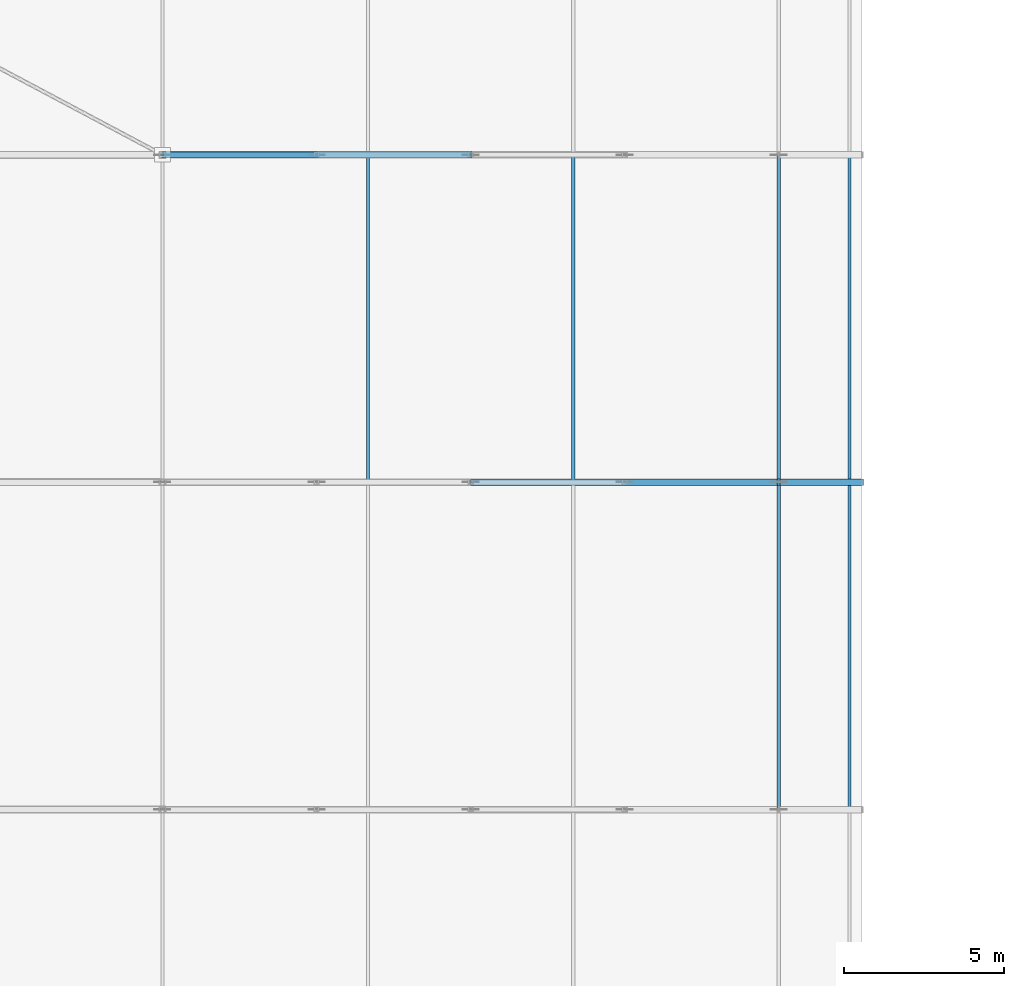
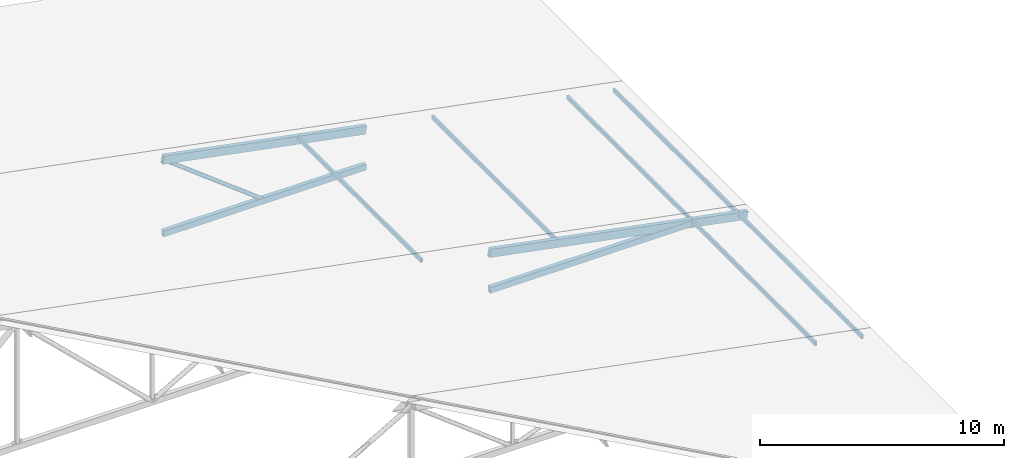
# One storey, part 76 of 200: 12 members.
"""IFC4 building model written with IfcOpenShell, lengths in metres."""

from ifc_helpers import new_model, si_unit, direction, frame, origin, origin_2d, place, context, subcontext, project, spatial, hollow_rectangle, hollow_circle, extrude, material, material_profile, profile_set, type_object, element, save


model = new_model("IFC4")

# Units and contexts
model_context = context("Model", 3, precision=1e-05, world=origin(), true_north=direction((0.0, 1.0)))
body_context = subcontext(model_context, "Body", "Model", "MODEL_VIEW")
ifc_project = project(units=[si_unit("LENGTHUNIT", "METRE"), si_unit("AREAUNIT", "SQUARE_METRE"), si_unit("VOLUMEUNIT", "CUBIC_METRE"), si_unit("PLANEANGLEUNIT", "RADIAN"), si_unit("MASSUNIT", "GRAM", prefix="KILO")], contexts=[model_context])

# Site, building, storey
site_placement = place(None, origin())
site = spatial("IfcSite", under=ifc_project, at=site_placement, CompositionType="ELEMENT")
building_placement = place(site_placement, origin())
building = spatial("IfcBuilding", under=site, at=building_placement, Name="Vondelvale Polytechnic", CompositionType="ELEMENT")
storey_placement = place(building_placement, frame((0.0, 0.0, 13.800048828125)))
storey = spatial("IfcBuildingStorey", under=building, at=storey_placement, Name="L03", CompositionType="ELEMENT", Elevation=13.800048828125)

# Members
ifc_material = material(Name="Steel C350L0 (fy = 350 MPa)", Category="steel")
ifc_material_profile_1 = material_profile(ifc_material, hollow_rectangle(XDim=0.10009765625, YDim=0.199951171875, WallThickness=0.006103515625, at=origin_2d()), Name="200x100x6.0RHS")
ifc_profile_set_1 = profile_set([ifc_material_profile_1], Name="Steel C350L0 (fy = 350 MPa)")
member_type_1 = type_object("IfcMemberType", Name="PURLIN RHS200", PredefinedType="PURLIN", material=ifc_profile_set_1)
for number, where, z_axis, x_axis, name in (
    (1, (48.0, 91.800048828125, -0.31884765625), (0.0, 1.0, 0.0), (-1.0, 0.0, 0.0), "Workshop roof purlin bay 5"),
    (2, (50.199951171875, 91.800048828125, -0.74267578125), (0.0, 1.0, 0.0), (-1.0, 0.0, 0.0), "Workshop roof purlin bay 5"),
    (3, (35.199951171875, 102.0, 2.14794921875), (0.0, 1.0, 0.0), (-1.0, 0.0, 0.0), "Workshop roof purlin bay 6"),
    (4, (41.60009765625, 102.0, 0.91455078125), (0.0, 1.0, 0.0), (-1.0, 0.0, 0.0), "Workshop roof purlin bay 6"),
    (5, (48.0, 102.0, -0.31884765625), (0.0, 1.0, 0.0), (-1.0, 0.0, 0.0), "Workshop roof purlin bay 6"),
    (6, (50.199951171875, 102.0, -0.74267578125), (0.0, 1.0, 0.0), (-1.0, 0.0, 0.0), "Workshop roof purlin bay 6"),
):
    element("IfcMember", number, at=place(storey_placement, frame(where, z_axis=z_axis, x_axis=x_axis)), inside=storey, type_object=member_type_1, Name=name, PredefinedType="PURLIN", context=body_context, shape_type="SweptSolid", body=[
        extrude(hollow_rectangle(XDim=0.10009765625, YDim=0.199951171875, WallThickness=0.006103515625, at=origin_2d()), origin(), (0.0, 0.0, 1.0), 10.199951171875),
    ])
ifc_material_profile_2 = material_profile(ifc_material, hollow_rectangle(XDim=0.199951171875, YDim=0.300048828125, WallThickness=0.008056640625, at=origin_2d()), Name="300x200x8.0RHS")
ifc_profile_set_2 = profile_set([ifc_material_profile_2], Name="Steel C350L0 (fy = 350 MPa)")
member_type_2 = type_object("IfcMemberType", Name="ROOF TRUSS BOT CHORD 300RHS", PredefinedType="CHORD", material=ifc_profile_set_2)
member_1_placement = place(storey_placement, frame((38.39990234375, 102.0, -0.420166015625), z_axis=(1.0, 0.0, 0.0), x_axis=(0.0, 1.0, 0.0)))
element("IfcMember", 7, at=member_1_placement, inside=storey, type_object=member_type_2, Name="ROOF TRUSS TR-06 bottom chord 3", PredefinedType="CHORD", context=body_context, shape_type="SweptSolid", body=[
    extrude(hollow_rectangle(XDim=0.199951171875, YDim=0.300048828125, WallThickness=0.008056640625, at=origin_2d()), origin(), (0.0, 0.0, 1.0), 9.60009765625),
])
member_2_placement = place(storey_placement, frame((28.800048828125, 112.199951171875, -0.420166015625), z_axis=(1.0, 0.0, 0.0), x_axis=(0.0, 1.0, 0.0)))
element("IfcMember", 8, at=member_2_placement, inside=storey, type_object=member_type_2, Name="ROOF TRUSS TR-07 bottom chord 2", PredefinedType="CHORD", context=body_context, shape_type="SweptSolid", body=[
    extrude(hollow_rectangle(XDim=0.199951171875, YDim=0.300048828125, WallThickness=0.008056640625, at=origin_2d()), origin(), (0.0, 0.0, 1.0), 9.599853515625),
])
ifc_material_profile_3 = material_profile(ifc_material, hollow_circle(Radius=0.096923828125, WallThickness=0.00634765625, at=origin_2d()), Name="193.7x6.4CHS")
ifc_profile_set_3 = profile_set([ifc_material_profile_3], Name="Steel C350L0 (fy = 350 MPa)")
member_type_3 = type_object("IfcMemberType", Name="ROOF TRUSS BRACE 193CHS", PredefinedType="BRACE", material=ifc_profile_set_3)
member_3_placement = place(storey_placement, frame((28.800048828125, 112.199951171875, 3.280029296875), z_axis=(0.791997617605, 0.0, -0.610524179463), x_axis=(0.0, 1.0, 0.0)))
element("IfcMember", 9, at=member_3_placement, inside=storey, type_object=member_type_3, Name="ROOF TRUSS TR-07 web diagonal 6", PredefinedType="BRACE", context=body_context, shape_type="SweptSolid", body=[
    extrude(hollow_circle(Radius=0.096923828125, WallThickness=0.00634765625, at=origin_2d()), origin(), (0.0, 0.0, 1.0), 6.060791015625),
])
ifc_material_profile_4 = material_profile(ifc_material, hollow_rectangle(XDim=0.199951171875, YDim=0.39990234375, WallThickness=0.010009765625, at=origin_2d()), Name="400x200x10.0RHS")
ifc_profile_set_4 = profile_set([ifc_material_profile_4], Name="Steel C350L0 (fy = 350 MPa)")
member_type_4 = type_object("IfcMemberType", Name="ROOF TRUSS TOP CHORD 400RHS", PredefinedType="CHORD", material=ifc_profile_set_4)
member_4_placement = place(storey_placement, frame((38.39990234375, 102.0, 1.429931640625), z_axis=(0.981931919064, 0.0, -0.189234527304), x_axis=(0.0, 1.0, 0.0)))
element("IfcMember", 10, at=member_4_placement, inside=storey, type_object=member_type_4, Name="ROOF TRUSS TR-06 top chord 5", PredefinedType="CHORD", context=body_context, shape_type="SweptSolid", body=[
    extrude(hollow_rectangle(XDim=0.199951171875, YDim=0.39990234375, WallThickness=0.010009765625, at=origin_2d()), origin(), (0.0, 0.0, 1.0), 9.77685546875),
])
member_5_placement = place(storey_placement, frame((48.0, 102.0, -0.420166015625), z_axis=(0.981939305936, 0.0, -0.189196193031), x_axis=(0.0, 1.0, 0.0)))
element("IfcMember", 11, at=member_5_placement, inside=storey, type_object=member_type_4, Name="ROOF TRUSS TR-06 top chord 6", PredefinedType="CHORD", context=body_context, shape_type="SweptSolid", body=[
    extrude(hollow_rectangle(XDim=0.199951171875, YDim=0.39990234375, WallThickness=0.010009765625, at=origin_2d()), origin(), (0.0, 0.0, 1.0), 2.64794921875),
])
member_6_placement = place(storey_placement, frame((28.800048828125, 112.199951171875, 3.280029296875), z_axis=(0.981931024806, 0.0, -0.189239167518), x_axis=(0.0, 1.0, 0.0)))
element("IfcMember", 12, at=member_6_placement, inside=storey, type_object=member_type_4, Name="ROOF TRUSS TR-07 top chord 4", PredefinedType="CHORD", context=body_context, shape_type="SweptSolid", body=[
    extrude(hollow_rectangle(XDim=0.199951171875, YDim=0.39990234375, WallThickness=0.010009765625, at=origin_2d()), origin(), (0.0, 0.0, 1.0), 9.776611328125),
])

save(model, "model.ifc")
